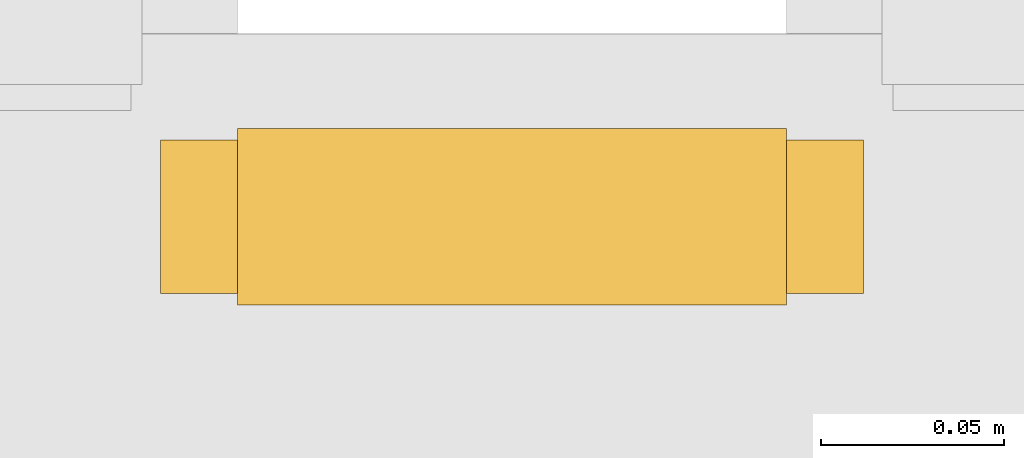
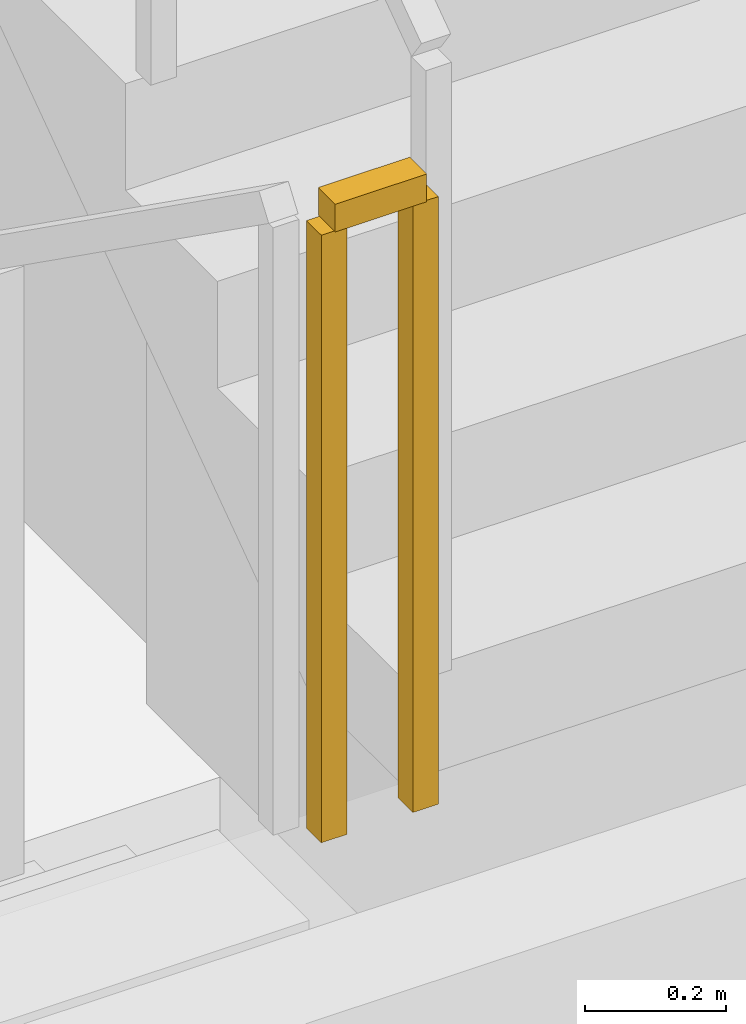
# One storey, part 26 of 28: 1 railing.
"""IFC4 building model written with IfcOpenShell, lengths in metres."""

from ifc_helpers import new_model, si_unit, direction, frame, origin, origin_2d, place, context, subcontext, project, spatial, rectangle, extrude, material, type_object, element, save


model = new_model("IFC4")

# Units and contexts
model_context = context("Model", 3, precision=1e-05, world=origin(), true_north=direction((0.0, 1.0)))
body_context = subcontext(model_context, "Body", "Model", "MODEL_VIEW")
ifc_project = project(units=[si_unit("LENGTHUNIT", "METRE"), si_unit("AREAUNIT", "SQUARE_METRE"), si_unit("VOLUMEUNIT", "CUBIC_METRE"), si_unit("PLANEANGLEUNIT", "RADIAN"), si_unit("MASSUNIT", "GRAM", prefix="KILO")], contexts=[model_context])

# Site, building, storey
site_placement = place(None, origin())
site = spatial("IfcSite", under=ifc_project, at=site_placement, CompositionType="ELEMENT")
building_placement = place(site_placement, origin())
building = spatial("IfcBuilding", under=site, at=building_placement, Name="Rattan Terrace Tower", CompositionType="ELEMENT")
storey_placement = place(building_placement, frame((0.0, 0.0, 22.199951171875)))
storey = spatial("IfcBuildingStorey", under=building, at=storey_placement, Name="L04", CompositionType="ELEMENT", Elevation=22.199951171875)

# Railing
ifc_material = material(Name="Powder-coated steel guard", Category="steel")
railing_type = type_object("IfcRailingType", Name="Core stair guard", PredefinedType="GUARDRAIL", material=ifc_material)
railing_placement = place(storey_placement, frame((6.300048828125, 1.929931640625, 2.400146484375)))
element("IfcRailing", 1, at=railing_placement, inside=storey, type_object=railing_type, Name="L04 S3 stair guard 2", PredefinedType="GUARDRAIL", context=body_context, shape_type="SweptSolid", body=[
    extrude(rectangle(XDim=0.048095703125, YDim=0.048095703125, at=origin_2d()), frame((0.0, 0.0, 1.076171875), z_axis=(1.0, 0.0, 0.0), x_axis=(0.0, 1.0, 0.0)), (0.0, 0.0, 1.0), 0.14990234375),
    extrude(rectangle(XDim=0.0419921875, YDim=0.0419921875, at=origin_2d()), origin(), (0.0, 0.0, 1.0), 1.052001953125),
    extrude(rectangle(XDim=0.0419921875, YDim=0.0419921875, at=origin_2d()), frame((0.14990234375, 0.0, 0.0)), (0.0, 0.0, 1.0), 1.052001953125),
])

save(model, "model.ifc")
